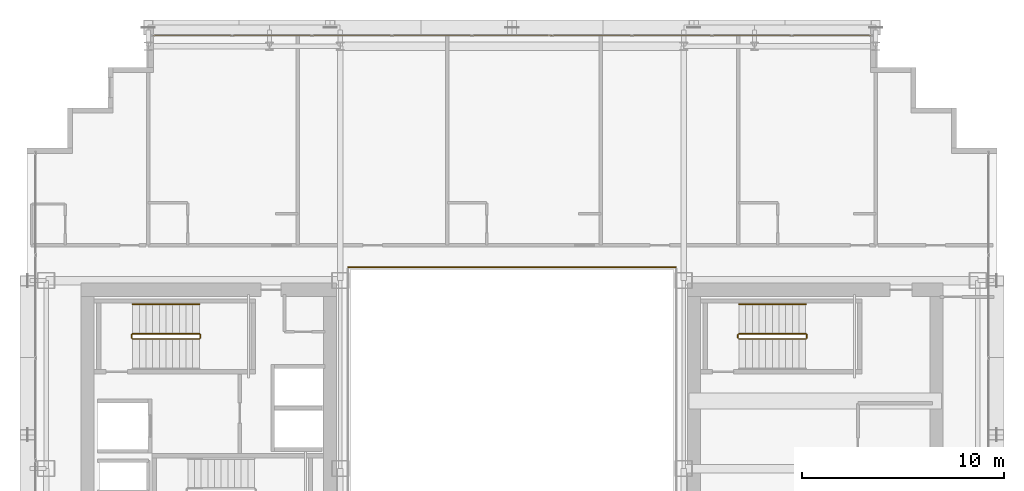
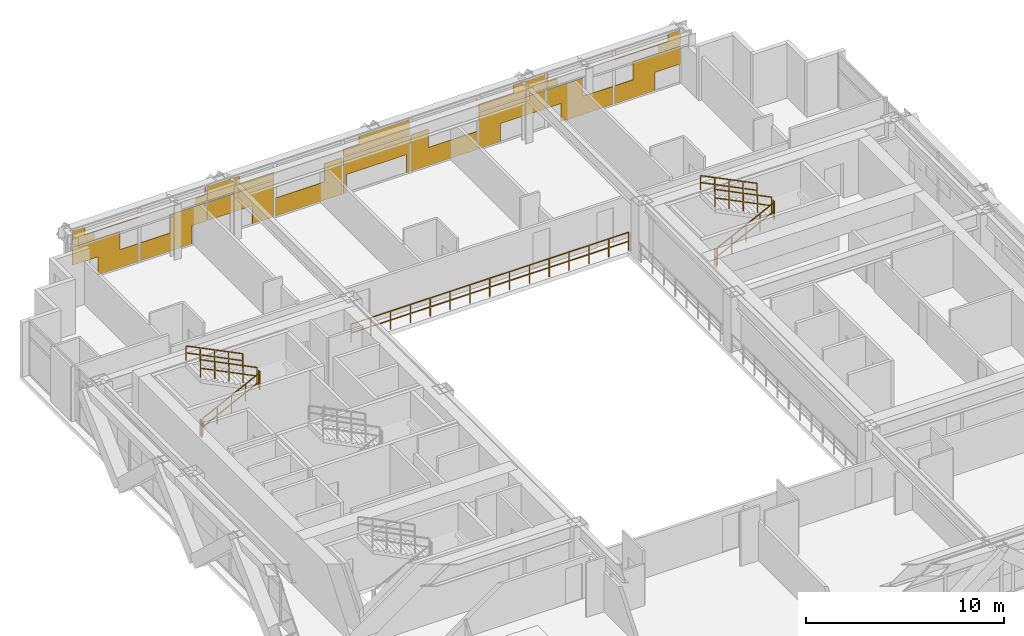
# One storey, part 35 of 35: 11 railings, 1 covering.
"""IFC4 building model written with IfcOpenShell, lengths in metres."""

from ifc_helpers import new_model, si_unit, direction, frame, origin, origin_2d, place, context, subcontext, project, spatial, rectangle, extrude, material, layer, layer_set, type_object, element, save


model = new_model("IFC4")

# Units and contexts
model_context = context("Model", 3, precision=1e-05, world=origin(), true_north=direction((0.0, 1.0)))
body_context = subcontext(model_context, "Body", "Model", "MODEL_VIEW")
ifc_project = project(units=[si_unit("LENGTHUNIT", "METRE"), si_unit("AREAUNIT", "SQUARE_METRE"), si_unit("VOLUMEUNIT", "CUBIC_METRE"), si_unit("PLANEANGLEUNIT", "RADIAN"), si_unit("MASSUNIT", "GRAM", prefix="KILO")], contexts=[model_context])

# Site, building, storey
site_placement = place(None, origin())
site = spatial("IfcSite", under=ifc_project, at=site_placement, CompositionType="ELEMENT")
building_placement = place(site_placement, origin())
building = spatial("IfcBuilding", under=site, at=building_placement, Name="Ocotamira Hotel", CompositionType="ELEMENT")
storey_placement = place(building_placement, frame((0.0, 0.0, 115.199951171875)))
storey = spatial("IfcBuildingStorey", under=building, at=storey_placement, Name="L28", CompositionType="ELEMENT", Elevation=115.199951171875)

# Covering
ifc_material_1 = material(Name="Insulated pale-metal aluminium spandrel panel", Category="aluminium")
ifc_layer = layer(ifc_material_1, 0.044921875)
ifc_layer_set = layer_set([ifc_layer], Name="Insulated pale-metal aluminium spandrel panel")
covering_type = type_object("IfcCoveringType", Name="COV-INFILL-45", PredefinedType="CLADDING", material=ifc_layer_set)
covering_placement = place(storey_placement, origin())
element("IfcCovering", 1, at=covering_placement, inside=storey, type_object=covering_type, Name="L28 Curtain Wall Infill CW-3 CW-L28-N", PredefinedType="CLADDING", context=body_context, shape_type="SweptSolid", body=[
    extrude(rectangle(XDim=2.754638671875, YDim=0.044921875, at=origin_2d()), frame((15.65771484375, 49.580078125, 1.1943359375), z_axis=(0.0, 0.0, 1.0), x_axis=(1.0, 0.0, 0.0)), (0.0, 0.0, 1.0), 1.117919921875),
    extrude(rectangle(XDim=2.359619140625, YDim=0.044921875, at=origin_2d()), frame((16.935302734375, 49.580078125, 0.07568359375), z_axis=(0.0, 0.0, 1.0), x_axis=(1.0, 0.0, 0.0)), (0.0, 0.0, 1.0), 1.11767578125),
    extrude(rectangle(XDim=1.262451171875, YDim=0.044921875, at=origin_2d()), frame((14.91162109375, 49.580078125, 2.38818359375), z_axis=(0.0, 0.0, 1.0), x_axis=(1.0, 0.0, 0.0)), (0.0, 0.0, 1.0), 0.3935546875),
    extrude(rectangle(XDim=3.834716796875, YDim=0.044921875, at=origin_2d()), frame((16.19775390625, 49.580078125, 2.78271484375), z_axis=(0.0, 0.0, 1.0), x_axis=(1.0, 0.0, 0.0)), (0.0, 0.0, 1.0), 0.0302734375),
    extrude(rectangle(XDim=0.730224609375, YDim=0.044921875, at=origin_2d()), frame((14.6455078125, 49.580078125, 2.813720703125), z_axis=(0.0, 0.0, 1.0), x_axis=(1.0, 0.0, 0.0)), (0.0, 0.0, 1.0), 0.470703125),
    extrude(rectangle(XDim=3.04833984375, YDim=0.044921875, at=origin_2d()), frame((19.72021484375, 49.580078125, 0.07568359375), z_axis=(0.0, 0.0, 1.0), x_axis=(1.0, 0.0, 0.0)), (0.0, 0.0, 1.0), 1.11767578125),
    extrude(rectangle(XDim=2.105712890625, YDim=0.044921875, at=origin_2d()), frame((21.017578125, 49.580078125, 1.1943359375), z_axis=(0.0, 0.0, 1.0), x_axis=(1.0, 0.0, 0.0)), (0.0, 0.0, 1.0), 1.117919921875),
    extrude(rectangle(XDim=0.613525390625, YDim=0.044921875, at=origin_2d()), frame((21.763916015625, 49.580078125, 2.387939453125), z_axis=(0.0, 0.0, 1.0), x_axis=(1.0, 0.0, 0.0)), (0.0, 0.0, 1.0), 0.4248046875),
    extrude(rectangle(XDim=0.081298828125, YDim=0.044921875, at=origin_2d()), frame((22.02978515625, 49.580078125, 2.813720703125), z_axis=(0.0, 0.0, 1.0), x_axis=(1.0, 0.0, 0.0)), (0.0, 0.0, 1.0), 0.470703125),
    extrude(rectangle(XDim=3.87451171875, YDim=0.044921875, at=origin_2d()), frame((24.0888671875, 49.580078125, 1.1943359375), z_axis=(0.0, 0.0, 1.0), x_axis=(1.0, 0.0, 0.0)), (0.0, 0.0, 1.0), 1.117919921875),
    extrude(rectangle(XDim=1.270751953125, YDim=0.044921875, at=origin_2d()), frame((25.390869140625, 49.580078125, 0.07568359375), z_axis=(0.0, 0.0, 1.0), x_axis=(1.0, 0.0, 0.0)), (0.0, 0.0, 1.0), 1.11767578125),
    extrude(rectangle(XDim=3.87451171875, YDim=0.044921875, at=origin_2d()), frame((24.0888671875, 49.580078125, 2.387939453125), z_axis=(0.0, 0.0, 1.0), x_axis=(1.0, 0.0, 0.0)), (0.0, 0.0, 1.0), 0.4248046875),
    extrude(rectangle(XDim=1.859130859375, YDim=0.044921875, at=origin_2d()), frame((23.081298828125, 49.580078125, 2.813720703125), z_axis=(0.0, 0.0, 1.0), x_axis=(1.0, 0.0, 0.0)), (0.0, 0.0, 1.0), 0.470703125),
    extrude(rectangle(XDim=3.87451171875, YDim=0.044921875, at=origin_2d()), frame((28.04443359375, 49.580078125, 0.07568359375), z_axis=(0.0, 0.0, 1.0), x_axis=(1.0, 0.0, 0.0)), (0.0, 0.0, 1.0), 1.11767578125),
    extrude(rectangle(XDim=1.016845703125, YDim=0.044921875, at=origin_2d()), frame((29.473388671875, 49.580078125, 1.1943359375), z_axis=(0.0, 0.0, 1.0), x_axis=(1.0, 0.0, 0.0)), (0.0, 0.0, 1.0), 1.117919921875),
    extrude(rectangle(XDim=0.181884765625, YDim=0.044921875, at=origin_2d()), frame((30.153564453125, 49.580078125, 0.07568359375), z_axis=(0.0, 0.0, 1.0), x_axis=(1.0, 0.0, 0.0)), (0.0, 0.0, 1.0), 1.11767578125),
    extrude(rectangle(XDim=3.87451171875, YDim=0.044921875, at=origin_2d()), frame((32.0, 49.580078125, 1.1943359375), z_axis=(0.0, 0.0, 1.0), x_axis=(1.0, 0.0, 0.0)), (0.0, 0.0, 1.0), 1.117919921875),
    extrude(rectangle(XDim=0.181884765625, YDim=0.044921875, at=origin_2d()), frame((33.846435546875, 49.580078125, 0.07568359375), z_axis=(0.0, 0.0, 1.0), x_axis=(1.0, 0.0, 0.0)), (0.0, 0.0, 1.0), 1.11767578125),
    extrude(rectangle(XDim=3.87451171875, YDim=0.044921875, at=origin_2d()), frame((32.0, 49.580078125, 2.387939453125), z_axis=(0.0, 0.0, 1.0), x_axis=(1.0, 0.0, 0.0)), (0.0, 0.0, 1.0), 0.4248046875),
    extrude(rectangle(XDim=2.947998046875, YDim=0.044921875, at=origin_2d()), frame((32.46337890625, 49.580078125, 2.813720703125), z_axis=(0.0, 0.0, 1.0), x_axis=(1.0, 0.0, 0.0)), (0.0, 0.0, 1.0), 0.470703125),
    extrude(rectangle(XDim=3.87451171875, YDim=0.044921875, at=origin_2d()), frame((35.95556640625, 49.580078125, 0.07568359375), z_axis=(0.0, 0.0, 1.0), x_axis=(1.0, 0.0, 0.0)), (0.0, 0.0, 1.0), 1.11767578125),
    extrude(rectangle(XDim=1.016845703125, YDim=0.044921875, at=origin_2d()), frame((34.526611328125, 49.580078125, 1.1943359375), z_axis=(0.0, 0.0, 1.0), x_axis=(1.0, 0.0, 0.0)), (0.0, 0.0, 1.0), 1.117919921875),
    extrude(rectangle(XDim=1.270751953125, YDim=0.044921875, at=origin_2d()), frame((38.609130859375, 49.580078125, 0.07568359375), z_axis=(0.0, 0.0, 1.0), x_axis=(1.0, 0.0, 0.0)), (0.0, 0.0, 1.0), 1.11767578125),
    extrude(rectangle(XDim=3.87451171875, YDim=0.044921875, at=origin_2d()), frame((39.9111328125, 49.580078125, 1.1943359375), z_axis=(0.0, 0.0, 1.0), x_axis=(1.0, 0.0, 0.0)), (0.0, 0.0, 1.0), 1.117919921875),
    extrude(rectangle(XDim=3.87451171875, YDim=0.044921875, at=origin_2d()), frame((39.9111328125, 49.580078125, 2.387939453125), z_axis=(0.0, 0.0, 1.0), x_axis=(1.0, 0.0, 0.0)), (0.0, 0.0, 1.0), 0.4248046875),
    extrude(rectangle(XDim=1.859130859375, YDim=0.044921875, at=origin_2d()), frame((40.918701171875, 49.580078125, 2.813720703125), z_axis=(0.0, 0.0, 1.0), x_axis=(1.0, 0.0, 0.0)), (0.0, 0.0, 1.0), 0.470703125),
    extrude(rectangle(XDim=2.105712890625, YDim=0.044921875, at=origin_2d()), frame((42.982421875, 49.580078125, 1.1943359375), z_axis=(0.0, 0.0, 1.0), x_axis=(1.0, 0.0, 0.0)), (0.0, 0.0, 1.0), 1.117919921875),
    extrude(rectangle(XDim=3.04833984375, YDim=0.044921875, at=origin_2d()), frame((44.27978515625, 49.580078125, 0.07568359375), z_axis=(0.0, 0.0, 1.0), x_axis=(1.0, 0.0, 0.0)), (0.0, 0.0, 1.0), 1.11767578125),
    extrude(rectangle(XDim=0.613525390625, YDim=0.044921875, at=origin_2d()), frame((42.236083984375, 49.580078125, 2.387939453125), z_axis=(0.0, 0.0, 1.0), x_axis=(1.0, 0.0, 0.0)), (0.0, 0.0, 1.0), 0.4248046875),
    extrude(rectangle(XDim=0.081298828125, YDim=0.044921875, at=origin_2d()), frame((41.97021484375, 49.580078125, 2.813720703125), z_axis=(0.0, 0.0, 1.0), x_axis=(1.0, 0.0, 0.0)), (0.0, 0.0, 1.0), 0.470703125),
    extrude(rectangle(XDim=2.359619140625, YDim=0.044921875, at=origin_2d()), frame((47.064697265625, 49.580078125, 0.07568359375), z_axis=(0.0, 0.0, 1.0), x_axis=(1.0, 0.0, 0.0)), (0.0, 0.0, 1.0), 1.11767578125),
    extrude(rectangle(XDim=2.754638671875, YDim=0.044921875, at=origin_2d()), frame((48.34228515625, 49.580078125, 1.1943359375), z_axis=(0.0, 0.0, 1.0), x_axis=(1.0, 0.0, 0.0)), (0.0, 0.0, 1.0), 1.117919921875),
    extrude(rectangle(XDim=3.834716796875, YDim=0.044921875, at=origin_2d()), frame((47.80224609375, 49.580078125, 2.78271484375), z_axis=(0.0, 0.0, 1.0), x_axis=(1.0, 0.0, 0.0)), (0.0, 0.0, 1.0), 0.0302734375),
    extrude(rectangle(XDim=1.262451171875, YDim=0.044921875, at=origin_2d()), frame((49.08837890625, 49.580078125, 2.38818359375), z_axis=(0.0, 0.0, 1.0), x_axis=(1.0, 0.0, 0.0)), (0.0, 0.0, 1.0), 0.3935546875),
    extrude(rectangle(XDim=0.730224609375, YDim=0.044921875, at=origin_2d()), frame((49.3544921875, 49.580078125, 2.813720703125), z_axis=(0.0, 0.0, 1.0), x_axis=(1.0, 0.0, 0.0)), (0.0, 0.0, 1.0), 0.470703125),
])

# Railings
ifc_material_2 = material(Name="Painted steel stair guardrail", Category="steel")
railing_type_1 = type_object("IfcRailingType", Name="RL-EDGE-1150", PredefinedType="GUARDRAIL", material=ifc_material_2)
railing_1_placement = place(storey_placement, frame((40.10009765625, 38.1201171875, 0.0)))
element("IfcRailing", 2, at=railing_1_placement, inside=storey, type_object=railing_type_1, Name="L28 Central Atrium Edge Guardrail N", PredefinedType="GUARDRAIL", context=body_context, shape_type="SweptSolid", body=[
    extrude(rectangle(XDim=0.048095703125, YDim=0.048095703125, at=origin_2d()), frame((0.0, 0.0, 1.1259765625), z_axis=(-1.0, 0.0, 0.0), x_axis=(0.0, -1.0, 0.0)), (0.0, 0.0, 1.0), 16.2001953125),
    extrude(rectangle(XDim=0.048095703125, YDim=0.048095703125, at=origin_2d()), frame((0.0, 0.0, 0.574951171875), z_axis=(-1.0, 0.0, 0.0), x_axis=(0.0, -1.0, 0.0)), (0.0, 0.0, 1.0), 16.2001953125),
    extrude(rectangle(XDim=0.0419921875, YDim=0.0419921875, at=origin_2d()), origin(), (0.0, 0.0, 1.0), 1.101806640625),
    extrude(rectangle(XDim=0.0419921875, YDim=0.0419921875, at=origin_2d()), frame((-1.1572265625, 0.0, 0.0)), (0.0, 0.0, 1.0), 1.101806640625),
    extrude(rectangle(XDim=0.0419921875, YDim=0.0419921875, at=origin_2d()), frame((-2.314208984375, 0.0, 0.0)), (0.0, 0.0, 1.0), 1.101806640625),
    extrude(rectangle(XDim=0.0419921875, YDim=0.0419921875, at=origin_2d()), frame((-3.471435546875, 0.0, 0.0)), (0.0, 0.0, 1.0), 1.101806640625),
    extrude(rectangle(XDim=0.0419921875, YDim=0.0419921875, at=origin_2d()), frame((-4.628662109375, 0.0, 0.0)), (0.0, 0.0, 1.0), 1.101806640625),
    extrude(rectangle(XDim=0.0419921875, YDim=0.0419921875, at=origin_2d()), frame((-5.785888671875, 0.0, 0.0)), (0.0, 0.0, 1.0), 1.101806640625),
    extrude(rectangle(XDim=0.0419921875, YDim=0.0419921875, at=origin_2d()), frame((-6.94287109375, 0.0, 0.0)), (0.0, 0.0, 1.0), 1.101806640625),
    extrude(rectangle(XDim=0.0419921875, YDim=0.0419921875, at=origin_2d()), frame((-8.10009765625, 0.0, 0.0)), (0.0, 0.0, 1.0), 1.101806640625),
    extrude(rectangle(XDim=0.0419921875, YDim=0.0419921875, at=origin_2d()), frame((-9.25732421875, 0.0, 0.0)), (0.0, 0.0, 1.0), 1.101806640625),
    extrude(rectangle(XDim=0.0419921875, YDim=0.0419921875, at=origin_2d()), frame((-10.414306640625, 0.0, 0.0)), (0.0, 0.0, 1.0), 1.101806640625),
    extrude(rectangle(XDim=0.0419921875, YDim=0.0419921875, at=origin_2d()), frame((-11.571533203125, 0.0, 0.0)), (0.0, 0.0, 1.0), 1.101806640625),
    extrude(rectangle(XDim=0.0419921875, YDim=0.0419921875, at=origin_2d()), frame((-12.728759765625, 0.0, 0.0)), (0.0, 0.0, 1.0), 1.101806640625),
    extrude(rectangle(XDim=0.0419921875, YDim=0.0419921875, at=origin_2d()), frame((-13.885986328125, 0.0, 0.0)), (0.0, 0.0, 1.0), 1.101806640625),
    extrude(rectangle(XDim=0.0419921875, YDim=0.0419921875, at=origin_2d()), frame((-15.04296875, 0.0, 0.0)), (0.0, 0.0, 1.0), 1.101806640625),
    extrude(rectangle(XDim=0.0419921875, YDim=0.0419921875, at=origin_2d()), frame((-16.2001953125, 0.0, 0.0)), (0.0, 0.0, 1.0), 1.101806640625),
])
ifc_material_3 = material(Name="Brushed stainless steel handrail", Category="steel")
railing_type_2 = type_object("IfcRailingType", Name="RL-HAND-900", PredefinedType="HANDRAIL", material=ifc_material_3)
for number, where, name in (
    (3, (16.530029296875, 36.280029296875, 2.12744140625), "L28 ST-2 stair handrail 2"),
    (4, (46.530029296875, 36.280029296875, 2.12744140625), "L28 ST-4 stair handrail 2"),
):
    element("IfcRailing", number, at=place(storey_placement, frame(where)), inside=storey, type_object=railing_type_2, Name=name, PredefinedType="HANDRAIL", context=body_context, shape_type="SweptSolid", body=[
        extrude(rectangle(XDim=0.048095703125, YDim=0.048095703125, at=origin_2d()), frame((0.0, 0.0, 0.8759765625), z_axis=(-0.895920123917, 0.0, 0.444215186098), x_axis=(0.0, -1.0, 0.0)), (0.0, 0.0, 1.0), 3.683349609375),
        extrude(rectangle(XDim=0.048095703125, YDim=0.048095703125, at=origin_2d()), frame((0.0, 0.0, 0.449951171875), z_axis=(-0.895920123917, 0.0, 0.444215186098), x_axis=(0.0, -1.0, 0.0)), (0.0, 0.0, 1.0), 3.683349609375),
        extrude(rectangle(XDim=0.0419921875, YDim=0.0419921875, at=origin_2d()), origin(), (0.0, 0.0, 1.0), 0.851806640625),
        extrude(rectangle(XDim=0.0419921875, YDim=0.0419921875, at=origin_2d()), frame((-0.824951171875, 0.0, 0.4091796875)), (0.0, 0.0, 1.0), 0.851806640625),
        extrude(rectangle(XDim=0.0419921875, YDim=0.0419921875, at=origin_2d()), frame((-1.64990234375, 0.0, 0.818115234375)), (0.0, 0.0, 1.0), 0.851806640625),
        extrude(rectangle(XDim=0.0419921875, YDim=0.0419921875, at=origin_2d()), frame((-2.47509765625, 0.0, 1.22705078125)), (0.0, 0.0, 1.0), 0.851806640625),
        extrude(rectangle(XDim=0.0419921875, YDim=0.0419921875, at=origin_2d()), frame((-3.300048828125, 0.0, 1.63623046875)), (0.0, 0.0, 1.0), 0.851806640625),
    ])
railing_type_3 = type_object("IfcRailingType", Name="RL-STAIR-1100", PredefinedType="GUARDRAIL", material=ifc_material_2)
railing_2_placement = place(storey_placement, frame((13.22998046875, 34.56005859375, 0.16357421875)))
element("IfcRailing", 5, at=railing_2_placement, inside=storey, type_object=railing_type_3, Name="L28 ST-2 stair guard 1", PredefinedType="GUARDRAIL", context=body_context, shape_type="SweptSolid", body=[
    extrude(rectangle(XDim=0.048095703125, YDim=0.048095703125, at=origin_2d()), frame((0.0, 0.0, 1.076171875), z_axis=(0.895893744519, 0.0, 0.4442683857), x_axis=(0.0, 1.0, 0.0)), (0.0, 0.0, 1.0), 3.68359375),
    extrude(rectangle(XDim=0.048095703125, YDim=0.048095703125, at=origin_2d()), frame((0.0, 0.0, 0.550048828125), z_axis=(0.895893744519, 0.0, 0.4442683857), x_axis=(0.0, 1.0, 0.0)), (0.0, 0.0, 1.0), 3.68359375),
    extrude(rectangle(XDim=0.0419921875, YDim=0.0419921875, at=origin_2d()), origin(), (0.0, 0.0, 1.0), 1.052001953125),
    extrude(rectangle(XDim=0.0419921875, YDim=0.0419921875, at=origin_2d()), frame((0.824951171875, 0.0, 0.4091796875)), (0.0, 0.0, 1.0), 1.052001953125),
    extrude(rectangle(XDim=0.0419921875, YDim=0.0419921875, at=origin_2d()), frame((1.64990234375, 0.0, 0.818359375)), (0.0, 0.0, 1.0), 1.052001953125),
    extrude(rectangle(XDim=0.0419921875, YDim=0.0419921875, at=origin_2d()), frame((2.47509765625, 0.0, 1.227294921875)), (0.0, 0.0, 1.0), 1.052001953125),
    extrude(rectangle(XDim=0.0419921875, YDim=0.0419921875, at=origin_2d()), frame((3.300048828125, 0.0, 1.636474609375)), (0.0, 0.0, 1.0), 1.052001953125),
])
railing_3_placement = place(storey_placement, frame((16.580078125, 34.610107421875, 1.800048828125)))
element("IfcRailing", 6, at=railing_3_placement, inside=storey, type_object=railing_type_3, Name="L28 ST-2 stair guard 2", PredefinedType="GUARDRAIL", context=body_context, shape_type="SweptSolid", body=[
    extrude(rectangle(XDim=0.048095703125, YDim=0.048095703125, at=origin_2d()), frame((0.0, 0.0, 1.076171875), z_axis=(0.0, 1.0, 0.0), x_axis=(-1.0, 0.0, 0.0)), (0.0, 0.0, 1.0), 0.159912109375),
    extrude(rectangle(XDim=0.048095703125, YDim=0.048095703125, at=origin_2d()), frame((0.0, 0.0, 0.550048828125), z_axis=(0.0, 1.0, 0.0), x_axis=(-1.0, 0.0, 0.0)), (0.0, 0.0, 1.0), 0.159912109375),
    extrude(rectangle(XDim=0.0419921875, YDim=0.0419921875, at=origin_2d()), origin(), (0.0, 0.0, 1.0), 1.052001953125),
    extrude(rectangle(XDim=0.0419921875, YDim=0.0419921875, at=origin_2d()), frame((0.0, 0.159912109375, 0.0)), (0.0, 0.0, 1.0), 1.052001953125),
])
railing_4_placement = place(storey_placement, frame((16.530029296875, 34.820068359375, 1.963623046875)))
element("IfcRailing", 7, at=railing_4_placement, inside=storey, type_object=railing_type_3, Name="L28 ST-2 stair guard 3", PredefinedType="GUARDRAIL", context=body_context, shape_type="SweptSolid", body=[
    extrude(rectangle(XDim=0.048095703125, YDim=0.048095703125, at=origin_2d()), frame((0.0, 0.0, 1.076171875), z_axis=(-0.895893744519, 0.0, 0.4442683857), x_axis=(0.0, -1.0, 0.0)), (0.0, 0.0, 1.0), 3.68359375),
    extrude(rectangle(XDim=0.048095703125, YDim=0.048095703125, at=origin_2d()), frame((0.0, 0.0, 0.550048828125), z_axis=(-0.895893744519, 0.0, 0.4442683857), x_axis=(0.0, -1.0, 0.0)), (0.0, 0.0, 1.0), 3.68359375),
    extrude(rectangle(XDim=0.0419921875, YDim=0.0419921875, at=origin_2d()), origin(), (0.0, 0.0, 1.0), 1.052001953125),
    extrude(rectangle(XDim=0.0419921875, YDim=0.0419921875, at=origin_2d()), frame((-0.824951171875, 0.0, 0.4091796875)), (0.0, 0.0, 1.0), 1.052001953125),
    extrude(rectangle(XDim=0.0419921875, YDim=0.0419921875, at=origin_2d()), frame((-1.64990234375, 0.0, 0.818359375)), (0.0, 0.0, 1.0), 1.052001953125),
    extrude(rectangle(XDim=0.0419921875, YDim=0.0419921875, at=origin_2d()), frame((-2.47509765625, 0.0, 1.227294921875)), (0.0, 0.0, 1.0), 1.052001953125),
    extrude(rectangle(XDim=0.0419921875, YDim=0.0419921875, at=origin_2d()), frame((-3.300048828125, 0.0, 1.636474609375)), (0.0, 0.0, 1.0), 1.052001953125),
])
railing_5_placement = place(storey_placement, frame((13.179931640625, 34.610107421875, 0.0)))
element("IfcRailing", 8, at=railing_5_placement, inside=storey, type_object=railing_type_3, Name="L28 ST-2 stair guard 4", PredefinedType="GUARDRAIL", context=body_context, shape_type="SweptSolid", body=[
    extrude(rectangle(XDim=0.048095703125, YDim=0.048095703125, at=origin_2d()), frame((0.0, 0.0, 1.076171875), z_axis=(0.0, 1.0, 0.0), x_axis=(-1.0, 0.0, 0.0)), (0.0, 0.0, 1.0), 0.159912109375),
    extrude(rectangle(XDim=0.048095703125, YDim=0.048095703125, at=origin_2d()), frame((0.0, 0.0, 0.550048828125), z_axis=(0.0, 1.0, 0.0), x_axis=(-1.0, 0.0, 0.0)), (0.0, 0.0, 1.0), 0.159912109375),
    extrude(rectangle(XDim=0.0419921875, YDim=0.0419921875, at=origin_2d()), origin(), (0.0, 0.0, 1.0), 1.052001953125),
    extrude(rectangle(XDim=0.0419921875, YDim=0.0419921875, at=origin_2d()), frame((0.0, 0.159912109375, 0.0)), (0.0, 0.0, 1.0), 1.052001953125),
])
railing_6_placement = place(storey_placement, frame((43.22998046875, 34.56005859375, 0.16357421875)))
element("IfcRailing", 9, at=railing_6_placement, inside=storey, type_object=railing_type_3, Name="L28 ST-4 stair guard 1", PredefinedType="GUARDRAIL", context=body_context, shape_type="SweptSolid", body=[
    extrude(rectangle(XDim=0.048095703125, YDim=0.048095703125, at=origin_2d()), frame((0.0, 0.0, 1.076171875), z_axis=(0.895893744519, 0.0, 0.4442683857), x_axis=(0.0, 1.0, 0.0)), (0.0, 0.0, 1.0), 3.68359375),
    extrude(rectangle(XDim=0.048095703125, YDim=0.048095703125, at=origin_2d()), frame((0.0, 0.0, 0.550048828125), z_axis=(0.895893744519, 0.0, 0.4442683857), x_axis=(0.0, 1.0, 0.0)), (0.0, 0.0, 1.0), 3.68359375),
    extrude(rectangle(XDim=0.0419921875, YDim=0.0419921875, at=origin_2d()), origin(), (0.0, 0.0, 1.0), 1.052001953125),
    extrude(rectangle(XDim=0.0419921875, YDim=0.0419921875, at=origin_2d()), frame((0.824951171875, 0.0, 0.4091796875)), (0.0, 0.0, 1.0), 1.052001953125),
    extrude(rectangle(XDim=0.0419921875, YDim=0.0419921875, at=origin_2d()), frame((1.64990234375, 0.0, 0.818359375)), (0.0, 0.0, 1.0), 1.052001953125),
    extrude(rectangle(XDim=0.0419921875, YDim=0.0419921875, at=origin_2d()), frame((2.47509765625, 0.0, 1.227294921875)), (0.0, 0.0, 1.0), 1.052001953125),
    extrude(rectangle(XDim=0.0419921875, YDim=0.0419921875, at=origin_2d()), frame((3.300048828125, 0.0, 1.636474609375)), (0.0, 0.0, 1.0), 1.052001953125),
])
railing_7_placement = place(storey_placement, frame((46.580078125, 34.610107421875, 1.800048828125)))
element("IfcRailing", 10, at=railing_7_placement, inside=storey, type_object=railing_type_3, Name="L28 ST-4 stair guard 2", PredefinedType="GUARDRAIL", context=body_context, shape_type="SweptSolid", body=[
    extrude(rectangle(XDim=0.048095703125, YDim=0.048095703125, at=origin_2d()), frame((0.0, 0.0, 1.076171875), z_axis=(0.0, 1.0, 0.0), x_axis=(-1.0, 0.0, 0.0)), (0.0, 0.0, 1.0), 0.159912109375),
    extrude(rectangle(XDim=0.048095703125, YDim=0.048095703125, at=origin_2d()), frame((0.0, 0.0, 0.550048828125), z_axis=(0.0, 1.0, 0.0), x_axis=(-1.0, 0.0, 0.0)), (0.0, 0.0, 1.0), 0.159912109375),
    extrude(rectangle(XDim=0.0419921875, YDim=0.0419921875, at=origin_2d()), origin(), (0.0, 0.0, 1.0), 1.052001953125),
    extrude(rectangle(XDim=0.0419921875, YDim=0.0419921875, at=origin_2d()), frame((0.0, 0.159912109375, 0.0)), (0.0, 0.0, 1.0), 1.052001953125),
])
railing_8_placement = place(storey_placement, frame((46.530029296875, 34.820068359375, 1.963623046875)))
element("IfcRailing", 11, at=railing_8_placement, inside=storey, type_object=railing_type_3, Name="L28 ST-4 stair guard 3", PredefinedType="GUARDRAIL", context=body_context, shape_type="SweptSolid", body=[
    extrude(rectangle(XDim=0.048095703125, YDim=0.048095703125, at=origin_2d()), frame((0.0, 0.0, 1.076171875), z_axis=(-0.895893744519, 0.0, 0.4442683857), x_axis=(0.0, -1.0, 0.0)), (0.0, 0.0, 1.0), 3.68359375),
    extrude(rectangle(XDim=0.048095703125, YDim=0.048095703125, at=origin_2d()), frame((0.0, 0.0, 0.550048828125), z_axis=(-0.895893744519, 0.0, 0.4442683857), x_axis=(0.0, -1.0, 0.0)), (0.0, 0.0, 1.0), 3.68359375),
    extrude(rectangle(XDim=0.0419921875, YDim=0.0419921875, at=origin_2d()), origin(), (0.0, 0.0, 1.0), 1.052001953125),
    extrude(rectangle(XDim=0.0419921875, YDim=0.0419921875, at=origin_2d()), frame((-0.824951171875, 0.0, 0.4091796875)), (0.0, 0.0, 1.0), 1.052001953125),
    extrude(rectangle(XDim=0.0419921875, YDim=0.0419921875, at=origin_2d()), frame((-1.64990234375, 0.0, 0.818359375)), (0.0, 0.0, 1.0), 1.052001953125),
    extrude(rectangle(XDim=0.0419921875, YDim=0.0419921875, at=origin_2d()), frame((-2.47509765625, 0.0, 1.227294921875)), (0.0, 0.0, 1.0), 1.052001953125),
    extrude(rectangle(XDim=0.0419921875, YDim=0.0419921875, at=origin_2d()), frame((-3.300048828125, 0.0, 1.636474609375)), (0.0, 0.0, 1.0), 1.052001953125),
])
railing_9_placement = place(storey_placement, frame((43.179931640625, 34.610107421875, 0.0)))
element("IfcRailing", 12, at=railing_9_placement, inside=storey, type_object=railing_type_3, Name="L28 ST-4 stair guard 4", PredefinedType="GUARDRAIL", context=body_context, shape_type="SweptSolid", body=[
    extrude(rectangle(XDim=0.048095703125, YDim=0.048095703125, at=origin_2d()), frame((0.0, 0.0, 1.076171875), z_axis=(0.0, 1.0, 0.0), x_axis=(-1.0, 0.0, 0.0)), (0.0, 0.0, 1.0), 0.159912109375),
    extrude(rectangle(XDim=0.048095703125, YDim=0.048095703125, at=origin_2d()), frame((0.0, 0.0, 0.550048828125), z_axis=(0.0, 1.0, 0.0), x_axis=(-1.0, 0.0, 0.0)), (0.0, 0.0, 1.0), 0.159912109375),
    extrude(rectangle(XDim=0.0419921875, YDim=0.0419921875, at=origin_2d()), origin(), (0.0, 0.0, 1.0), 1.052001953125),
    extrude(rectangle(XDim=0.0419921875, YDim=0.0419921875, at=origin_2d()), frame((0.0, 0.159912109375, 0.0)), (0.0, 0.0, 1.0), 1.052001953125),
])

save(model, "model.ifc")
